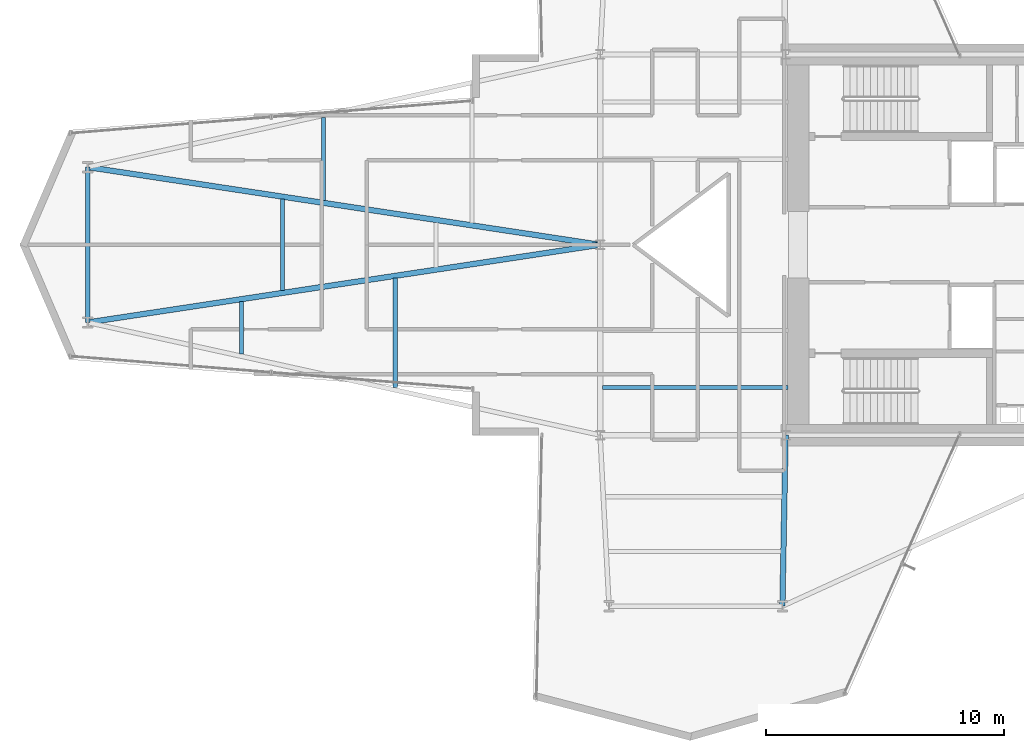
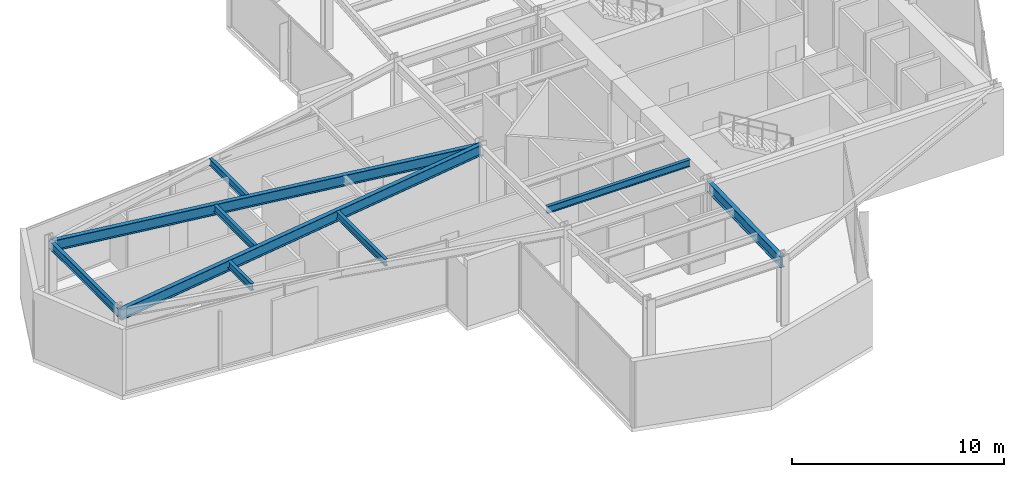
# One storey, part 6 of 23: 9 beams.
"""IFC4 building model written with IfcOpenShell, lengths in metres."""

from ifc_helpers import new_model, si_unit, direction, frame, origin, origin_2d, place, context, subcontext, project, spatial, i_section, extrude, material, material_profile, profile_set, type_object, element, save


model = new_model("IFC4")

# Units and contexts
model_context = context("Model", 3, precision=1e-05, world=origin(), true_north=direction((0.0, 1.0)))
body_context = subcontext(model_context, "Body", "Model", "MODEL_VIEW")
ifc_project = project(units=[si_unit("LENGTHUNIT", "METRE"), si_unit("AREAUNIT", "SQUARE_METRE"), si_unit("VOLUMEUNIT", "CUBIC_METRE"), si_unit("PLANEANGLEUNIT", "RADIAN"), si_unit("MASSUNIT", "GRAM", prefix="KILO")], contexts=[model_context])

# Site, building, storey
site_placement = place(None, origin())
site = spatial("IfcSite", under=ifc_project, at=site_placement, CompositionType="ELEMENT")
building_placement = place(site_placement, origin())
building = spatial("IfcBuilding", under=site, at=building_placement, Name="Veymaron Broadcast Tower", CompositionType="ELEMENT")
storey_placement = place(building_placement, frame((0.0, 0.0, 94.5)))
storey = spatial("IfcBuildingStorey", under=building, at=storey_placement, Name="L21", CompositionType="ELEMENT", Elevation=94.5)

# Beams
ifc_material = material(Name="Structural steel ASTM A992 Gr 50", Category="steel")
ifc_material_profile_1 = material_profile(ifc_material, i_section(OverallWidth=0.22998046875, OverallDepth=0.616943359375, WebThickness=0.01318359375, FlangeThickness=0.022216796875, at=origin_2d()), Name="W610X140")
ifc_profile_set_1 = profile_set([ifc_material_profile_1], Name="Structural steel ASTM A992 Gr 50")
beam_type_1 = type_object("IfcBeamType", Name="BM-FG1", PredefinedType="BEAM", material=ifc_profile_set_1)
for number, where, z_axis, x_axis, name in (
    (1, (9.6630859375, 20.735107421875, 3.50146484375), (0.988703729873, 0.149883069541, 0.0), (-0.149883069541, 0.988703729873, 0.0), "L21 primary structural floor girder"),
    (2, (9.6630859375, 27.264892578125, 3.50146484375), (0.988703729873, -0.149883069541, 0.0), (0.149883069541, 0.988703729873, 0.0), "L21 primary structural floor girder"),
):
    element("IfcBeam", number, at=place(storey_placement, frame(where, z_axis=z_axis, x_axis=x_axis)), inside=storey, type_object=beam_type_1, Name=name, PredefinedType="BEAM", context=body_context, shape_type="SweptSolid", body=[
        extrude(i_section(OverallWidth=0.22998046875, OverallDepth=0.616943359375, WebThickness=0.01318359375, FlangeThickness=0.022216796875, at=origin_2d()), origin(), (0.0, 0.0, 1.0), 21.782958984375),
    ])
beam_1_placement = place(storey_placement, frame((39.0, 16.0, 3.50146484375), z_axis=(-0.018774279541, -0.999823747681, 0.0), x_axis=(0.999823747681, -0.018774279541, 0.0)))
element("IfcBeam", 3, at=beam_1_placement, inside=storey, type_object=beam_type_1, Name="L21 primary structural floor girder", PredefinedType="BEAM", context=body_context, shape_type="SweptSolid", body=[
    extrude(i_section(OverallWidth=0.22998046875, OverallDepth=0.616943359375, WebThickness=0.01318359375, FlangeThickness=0.022216796875, at=origin_2d()), origin(), (0.0, 0.0, 1.0), 7.191162109375),
])
ifc_material_profile_2 = material_profile(ifc_material, i_section(OverallWidth=0.177978515625, OverallDepth=0.406982421875, WebThickness=0.0078125, FlangeThickness=0.0126953125, at=origin_2d()), Name="W410X60")
ifc_profile_set_2 = profile_set([ifc_material_profile_2], Name="Structural steel ASTM A992 Gr 50")
beam_type_2 = type_object("IfcBeamType", Name="BM-JS1", PredefinedType="JOIST", material=ifc_profile_set_2)
beam_2_placement = place(storey_placement, frame((16.1240234375, 19.41455078125, 3.6064453125), z_axis=(0.0, 1.0, 0.0), x_axis=(-1.0, 0.0, 0.0)))
element("IfcBeam", 4, at=beam_2_placement, inside=storey, type_object=beam_type_2, Name="L21 Arm-A secondary joist 1S", PredefinedType="JOIST", context=body_context, shape_type="SweptSolid", body=[
    extrude(i_section(OverallWidth=0.177978515625, OverallDepth=0.406982421875, WebThickness=0.0078125, FlangeThickness=0.0126953125, at=origin_2d()), origin(), (0.0, 0.0, 1.0), 2.199951171875),
])
beam_3_placement = place(storey_placement, frame((17.84716796875, 22.07568359375, 3.6064453125), z_axis=(0.0, 1.0, 0.0), x_axis=(-1.0, 0.0, 0.0)))
element("IfcBeam", 5, at=beam_3_placement, inside=storey, type_object=beam_type_2, Name="L21 Arm-A secondary joist 1M", PredefinedType="JOIST", context=body_context, shape_type="SweptSolid", body=[
    extrude(i_section(OverallWidth=0.177978515625, OverallDepth=0.406982421875, WebThickness=0.0078125, FlangeThickness=0.0126953125, at=origin_2d()), origin(), (0.0, 0.0, 1.0), 3.8486328125),
])
beam_4_placement = place(storey_placement, frame((19.570068359375, 25.863037109375, 3.6064453125), z_axis=(0.0, 1.0, 0.0), x_axis=(-1.0, 0.0, 0.0)))
element("IfcBeam", 6, at=beam_4_placement, inside=storey, type_object=beam_type_2, Name="L21 Arm-A secondary joist 1N", PredefinedType="JOIST", context=body_context, shape_type="SweptSolid", body=[
    extrude(i_section(OverallWidth=0.177978515625, OverallDepth=0.406982421875, WebThickness=0.0078125, FlangeThickness=0.0126953125, at=origin_2d()), origin(), (0.0, 0.0, 1.0), 3.47998046875),
])
beam_5_placement = place(storey_placement, frame((22.585205078125, 17.993896484375, 3.6064453125), z_axis=(0.0, 1.0, 0.0), x_axis=(-1.0, 0.0, 0.0)))
element("IfcBeam", 7, at=beam_5_placement, inside=storey, type_object=beam_type_2, Name="L21 Arm-A secondary joist 2S", PredefinedType="JOIST", context=body_context, shape_type="SweptSolid", body=[
    extrude(i_section(OverallWidth=0.177978515625, OverallDepth=0.406982421875, WebThickness=0.0078125, FlangeThickness=0.0126953125, at=origin_2d()), origin(), (0.0, 0.0, 1.0), 4.60009765625),
])
beam_6_placement = place(storey_placement, frame((31.300048828125, 18.0, 3.6064453125), z_axis=(1.0, 0.0, 0.0), x_axis=(0.0, 1.0, 0.0)))
element("IfcBeam", 8, at=beam_6_placement, inside=storey, type_object=beam_type_2, Name="L21 Hub secondary joist 1", PredefinedType="JOIST", context=body_context, shape_type="SweptSolid", body=[
    extrude(i_section(OverallWidth=0.177978515625, OverallDepth=0.406982421875, WebThickness=0.0078125, FlangeThickness=0.0126953125, at=origin_2d()), origin(), (0.0, 0.0, 1.0), 7.800048828125),
])
ifc_material_profile_3 = material_profile(ifc_material, i_section(OverallWidth=0.19091796875, OverallDepth=0.4599609375, WebThickness=0.010009765625, FlangeThickness=0.01611328125, at=origin_2d()), Name="W460X82")
ifc_profile_set_3 = profile_set([ifc_material_profile_3], Name="Structural steel ASTM A992 Gr 50")
beam_type_3 = type_object("IfcBeamType", Name="BM-SP1", PredefinedType="SPANDREL", material=ifc_profile_set_3)
beam_7_placement = place(storey_placement, frame((9.6630859375, 20.735107421875, 3.580078125), z_axis=(0.0, 1.0, 0.0), x_axis=(-1.0, 0.0, 0.0)))
element("IfcBeam", 9, at=beam_7_placement, inside=storey, type_object=beam_type_3, Name="L21 primary structural floor girder", PredefinedType="SPANDREL", context=body_context, shape_type="SweptSolid", body=[
    extrude(i_section(OverallWidth=0.19091796875, OverallDepth=0.4599609375, WebThickness=0.010009765625, FlangeThickness=0.01611328125, at=origin_2d()), origin(), (0.0, 0.0, 1.0), 6.52978515625),
])

save(model, "model.ifc")
